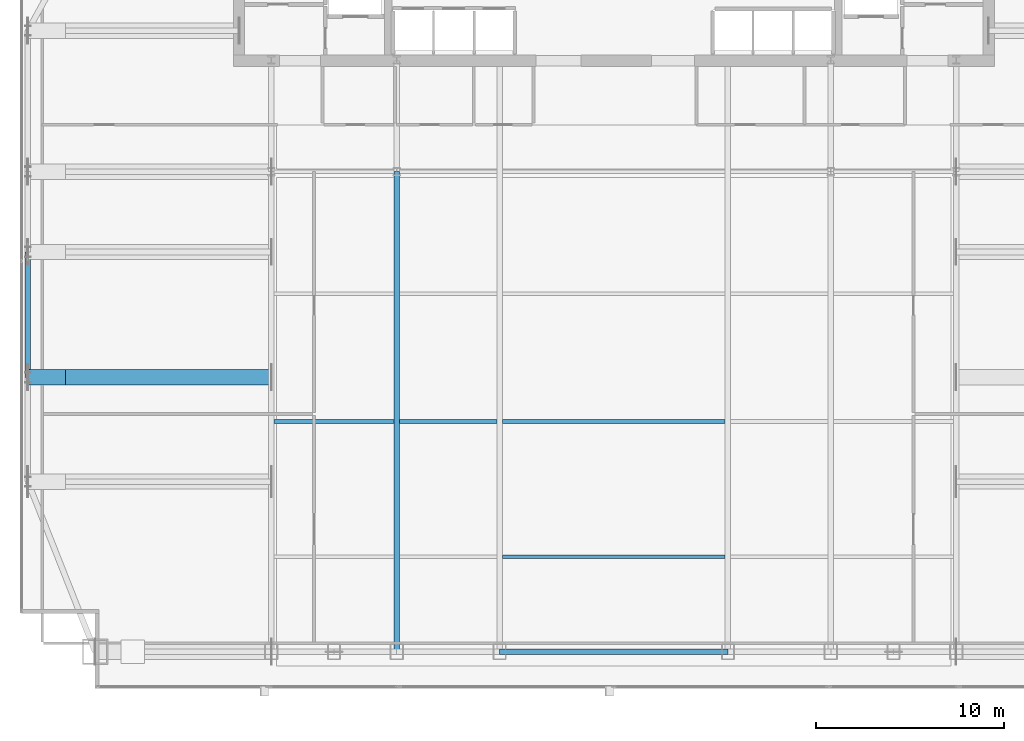
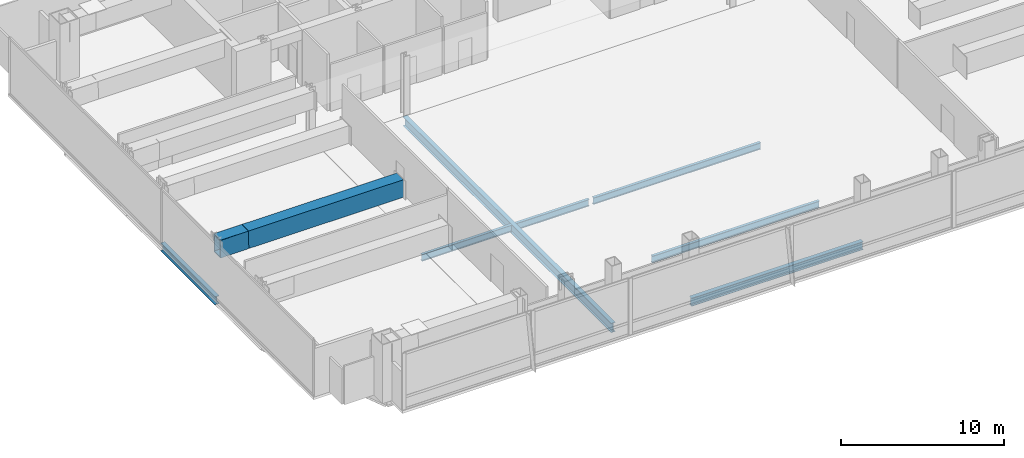
# One storey, part 8 of 25: 9 beams.
"""IFC4 building model written with IfcOpenShell, lengths in metres."""

from ifc_helpers import new_model, si_unit, direction, frame, origin, origin_2d, place, context, subcontext, project, spatial, hollow_rectangle, i_section, extrude, material, material_profile, profile_set, type_object, element, save


model = new_model("IFC4")

# Units and contexts
model_context = context("Model", 3, precision=1e-05, world=origin(), true_north=direction((0.0, 1.0)))
body_context = subcontext(model_context, "Body", "Model", "MODEL_VIEW")
ifc_project = project(units=[si_unit("LENGTHUNIT", "METRE"), si_unit("AREAUNIT", "SQUARE_METRE"), si_unit("VOLUMEUNIT", "CUBIC_METRE"), si_unit("PLANEANGLEUNIT", "RADIAN"), si_unit("MASSUNIT", "GRAM", prefix="KILO")], contexts=[model_context])

# Site, building, storey
site_placement = place(None, origin())
site = spatial("IfcSite", under=ifc_project, at=site_placement, CompositionType="ELEMENT")
building_placement = place(site_placement, origin())
building = spatial("IfcBuilding", under=site, at=building_placement, Name="Khoronbel Lancet Exchange", CompositionType="ELEMENT")
storey_placement = place(building_placement, frame((0.0, 0.0, 184.199951171875)))
storey = spatial("IfcBuildingStorey", under=building, at=storey_placement, Name="L46", CompositionType="ELEMENT", Elevation=184.199951171875)

# Beams
ifc_material_1 = material(Name="Steel S355", Category="steel")
ifc_material_profile_1 = material_profile(ifc_material_1, i_section(OverallWidth=0.300048828125, OverallDepth=0.699951171875, WebThickness=0.01708984375, FlangeThickness=0.031982421875, at=origin_2d()), Name="HEB 700")
ifc_profile_set_1 = profile_set([ifc_material_profile_1], Name="Steel S355")
beam_type_1 = type_object("IfcBeamType", Name="BM-BG3", PredefinedType="BEAM", material=ifc_profile_set_1)
beam_1_placement = place(storey_placement, frame((24.89990234375, 10.14990234375, -0.550048828125), z_axis=(0.0, 1.0, 0.0), x_axis=(-1.0, 0.0, 0.0)))
element("IfcBeam", 1, at=beam_1_placement, inside=storey, type_object=beam_type_1, Name="Level L46 south primary girder GS2", PredefinedType="BEAM", context=body_context, shape_type="SweptSolid", body=[
    extrude(i_section(OverallWidth=0.300048828125, OverallDepth=0.699951171875, WebThickness=0.01708984375, FlangeThickness=0.031982421875, at=origin_2d()), origin(), (0.0, 0.0, 1.0), 25.550048828125),
])
ifc_material_profile_2 = material_profile(ifc_material_1, i_section(OverallWidth=0.199951171875, OverallDepth=0.5, WebThickness=0.01025390625, FlangeThickness=0.01611328125, at=origin_2d()), Name="IPE 500")
ifc_profile_set_2 = profile_set([ifc_material_profile_2], Name="Steel S355")
beam_type_2 = type_object("IfcBeamType", Name="BM-BJ3", PredefinedType="JOIST", material=ifc_profile_set_2)
beam_2_placement = place(storey_placement, frame((30.52490234375, 15.199951171875, -0.449951171875), z_axis=(1.0, 0.0, 0.0), x_axis=(0.0, 1.0, 0.0)))
element("IfcBeam", 2, at=beam_2_placement, inside=storey, type_object=beam_type_2, Name="Level L46 secondary composite joist J03", PredefinedType="JOIST", context=body_context, shape_type="SweptSolid", body=[
    extrude(i_section(OverallWidth=0.199951171875, OverallDepth=0.5, WebThickness=0.01025390625, FlangeThickness=0.01611328125, at=origin_2d()), origin(), (0.0, 0.0, 1.0), 11.85009765625),
])
beam_3_placement = place(storey_placement, frame((18.375, 22.39990234375, -0.449951171875), z_axis=(1.0, 0.0, 0.0), x_axis=(0.0, 1.0, 0.0)))
element("IfcBeam", 3, at=beam_3_placement, inside=storey, type_object=beam_type_2, Name="Level L46 secondary composite joist J06", PredefinedType="JOIST", context=body_context, shape_type="SweptSolid", body=[
    extrude(i_section(OverallWidth=0.199951171875, OverallDepth=0.5, WebThickness=0.01025390625, FlangeThickness=0.01611328125, at=origin_2d()), origin(), (0.0, 0.0, 1.0), 6.375),
])
beam_4_placement = place(storey_placement, frame((25.050048828125, 22.39990234375, -0.449951171875), z_axis=(1.0, 0.0, 0.0), x_axis=(0.0, 1.0, 0.0)))
element("IfcBeam", 4, at=beam_4_placement, inside=storey, type_object=beam_type_2, Name="Level L46 secondary composite joist J07", PredefinedType="JOIST", context=body_context, shape_type="SweptSolid", body=[
    extrude(i_section(OverallWidth=0.199951171875, OverallDepth=0.5, WebThickness=0.01025390625, FlangeThickness=0.01611328125, at=origin_2d()), origin(), (0.0, 0.0, 1.0), 5.175048828125),
])
beam_5_placement = place(storey_placement, frame((30.52490234375, 22.39990234375, -0.449951171875), z_axis=(1.0, 0.0, 0.0), x_axis=(0.0, 1.0, 0.0)))
element("IfcBeam", 5, at=beam_5_placement, inside=storey, type_object=beam_type_2, Name="Level L46 secondary composite joist J08", PredefinedType="JOIST", context=body_context, shape_type="SweptSolid", body=[
    extrude(i_section(OverallWidth=0.199951171875, OverallDepth=0.5, WebThickness=0.01025390625, FlangeThickness=0.01611328125, at=origin_2d()), origin(), (0.0, 0.0, 1.0), 11.85009765625),
])
ifc_material_profile_3 = material_profile(ifc_material_1, i_section(OverallWidth=0.300048828125, OverallDepth=0.60009765625, WebThickness=0.015380859375, FlangeThickness=0.030029296875, at=origin_2d()), Name="HEB 600")
ifc_profile_set_3 = profile_set([ifc_material_profile_3], Name="Steel S355")
beam_type_3 = type_object("IfcBeamType", Name="BM-BSP2", PredefinedType="SPANDREL", material=ifc_profile_set_3)
beam_6_placement = place(storey_placement, frame((30.375, 10.14990234375, -0.5), z_axis=(1.0, 0.0, 0.0), x_axis=(0.0, 1.0, 0.0)))
element("IfcBeam", 6, at=beam_6_placement, inside=storey, type_object=beam_type_3, Name="Level L46 perimeter spandrel beam SP05", PredefinedType="SPANDREL", context=body_context, shape_type="SweptSolid", body=[
    extrude(i_section(OverallWidth=0.300048828125, OverallDepth=0.60009765625, WebThickness=0.015380859375, FlangeThickness=0.030029296875, at=origin_2d()), origin(), (0.0, 0.0, 1.0), 12.14990234375),
])
beam_7_placement = place(storey_placement, frame((5.27001953125, 31.425048828125, -0.5), z_axis=(0.0, -1.0, 0.0), x_axis=(1.0, 0.0, 0.0)))
element("IfcBeam", 7, at=beam_7_placement, inside=storey, type_object=beam_type_3, Name="Level L46 perimeter spandrel beam SP19", PredefinedType="SPANDREL", context=body_context, shape_type="SweptSolid", body=[
    extrude(i_section(OverallWidth=0.300048828125, OverallDepth=0.60009765625, WebThickness=0.015380859375, FlangeThickness=0.030029296875, at=origin_2d()), origin(), (0.0, 0.0, 1.0), 6.675048828125),
])
ifc_material_2 = material(Name="Steel S460", Category="steel")
ifc_material_profile_4 = material_profile(ifc_material_2, hollow_rectangle(XDim=0.820068359375, YDim=1.320068359375, WallThickness=0.070068359375, at=origin_2d()), Name="BOX 820x1320x70")
ifc_profile_set_4 = profile_set([ifc_material_profile_4], Name="Steel S460")
beam_type_4 = type_object("IfcBeamType", Name="BM-TG4", PredefinedType="USERDEFINED", material=ifc_profile_set_4)
beam_8_placement = place(storey_placement, frame((5.27001953125, 24.75, 3.56005859375), z_axis=(0.99994990606, 0.0, 0.010009264196), x_axis=(0.0, 1.0, 0.0)))
element("IfcBeam", 8, at=beam_8_placement, inside=storey, type_object=beam_type_4, Name="Setback transfer knee-brace girder L46-WC-2", ObjectType="TRANSFER GIRDER", PredefinedType="USERDEFINED", context=body_context, shape_type="SweptSolid", body=[
    extrude(hollow_rectangle(XDim=0.820068359375, YDim=1.320068359375, WallThickness=0.070068359375, at=origin_2d()), origin(), (0.0, 0.0, 1.0), 2.0),
])
beam_9_placement = place(storey_placement, frame((5.27001953125, 24.75, 3.580078125), z_axis=(1.0, 0.0, 0.0), x_axis=(0.0, 1.0, 0.0)))
element("IfcBeam", 9, at=beam_9_placement, inside=storey, type_object=beam_type_4, Name="Lens setback S460 transfer girder L46-W2", ObjectType="TRANSFER GIRDER", PredefinedType="USERDEFINED", context=body_context, shape_type="SweptSolid", body=[
    extrude(hollow_rectangle(XDim=0.820068359375, YDim=1.320068359375, WallThickness=0.070068359375, at=origin_2d()), origin(), (0.0, 0.0, 1.0), 12.955078125),
])

save(model, "model.ifc")
